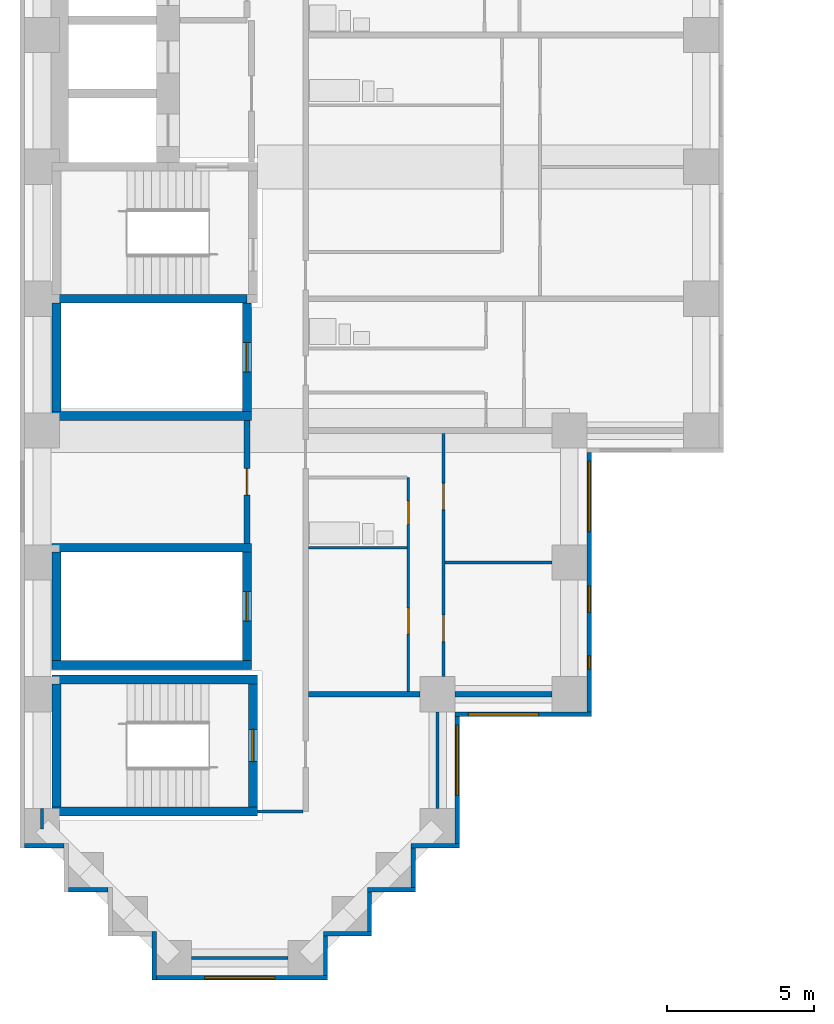
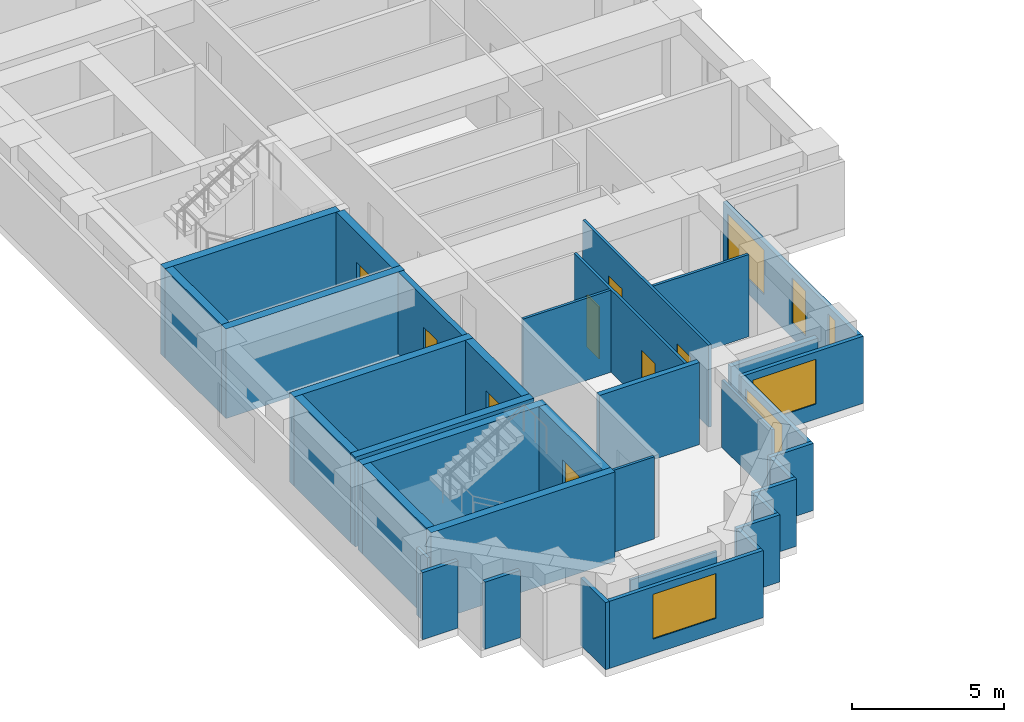
# One storey, part 2 of 12: 36 walls, 8 doors, 6 windows, 14 openings.
"""IFC4 building model written with IfcOpenShell, lengths in metres."""

import ifcopenshell
import ifcopenshell.guid

model = None  # the IFC model being written
_history = None  # IfcOwnerHistory: only IFC2X3 demands one
_inside = {}  # id of a spatial element -> (the spatial element, [elements in it])
_under = {}  # id of a project, library or spatial element -> (it, [spatial elements below it])
_declared = {}  # id of a project -> (the project, [libraries it declares])
_typed = {}  # id of a type object -> (the type object, [elements of that type])
_made_of = {}  # id of a material, layer set ... -> (it, [elements and type objects made of it])


def new_model(schema):
    """Start an empty IFC model of exactly this schema.

    Asked for "IFC4X3", IfcOpenShell would pick the latest addendum, in which some entities
    have other attributes; the version numbers below select the first issue.
    IFC2X3 requires an IfcOwnerHistory on every rooted entity: one is made here for all.
    """
    global model, _history
    if schema == "IFC4X3":
        model = ifcopenshell.file(schema_version=(4, 3, 0, 0))
    else:
        model = ifcopenshell.file(schema=schema)
    _inside.clear()
    _under.clear()
    _declared.clear()
    _typed.clear()
    _made_of.clear()
    _history = None
    if model.schema == "IFC2X3":
        org = make("IfcOrganization", Name="unknown")
        user = make(
            "IfcPersonAndOrganization",
            ThePerson=make("IfcPerson", FamilyName="unknown"),
            TheOrganization=org,
        )
        app = make(
            "IfcApplication",
            ApplicationDeveloper=org,
            Version="unknown",
            ApplicationFullName="unknown",
            ApplicationIdentifier="unknown",
        )
        _history = make(
            "IfcOwnerHistory",
            OwningUser=user,
            OwningApplication=app,
            ChangeAction="ADDED",
            CreationDate=0,
        )
    return model


def make(cls, **values):
    """One entity of the class cls with the attributes given. An attribute that is None is left unset."""
    return model.create_entity(
        cls, **{name: value for name, value in values.items() if value is not None}
    )


def rooted(cls, **values):
    """An entity with a GlobalId (a new one), such as an element, a storey or a relation."""
    return make(cls, GlobalId=ifcopenshell.guid.new(), OwnerHistory=_history, **values)


def si_unit(unit_type, name, prefix=None):
    """IfcSIUnit, for example si_unit("LENGTHUNIT", "METRE", prefix="MILLI")."""
    return make("IfcSIUnit", UnitType=unit_type, Prefix=prefix, Name=name)


def assignment(units):
    """IfcUnitAssignment: the units of a project."""
    return None if units is None else make("IfcUnitAssignment", Units=units)


def point(xyz):
    """IfcCartesianPoint."""
    return None if xyz is None else make("IfcCartesianPoint", Coordinates=xyz)


def direction(xyz):
    """IfcDirection."""
    return None if xyz is None else make("IfcDirection", DirectionRatios=xyz)


def frame(location, z_axis=None, x_axis=None):
    """IfcAxis2Placement3D, a coordinate frame: its origin and axes. An axis left out is left unset."""
    return make(
        "IfcAxis2Placement3D",
        Location=point(location),
        Axis=direction(z_axis),
        RefDirection=direction(x_axis),
    )


def frame_2d(location, x_axis=None):
    """IfcAxis2Placement2D, a coordinate frame in the plane: its origin and x axis."""
    return make(
        "IfcAxis2Placement2D", Location=point(location), RefDirection=direction(x_axis)
    )


def origin():
    """The frame at (0, 0, 0) with its axes left unset."""
    return frame((0.0, 0.0, 0.0))


def place(relative_to, where):
    """IfcLocalPlacement: puts the frame where relative to a parent placement (None: the world)."""
    return make(
        "IfcLocalPlacement", PlacementRelTo=relative_to, RelativePlacement=where
    )


def context(
    kind, dimensions, precision=None, world=None, true_north=None, identifier=None
):
    """IfcGeometricRepresentationContext, for example the 3D "Model" context."""
    return make(
        "IfcGeometricRepresentationContext",
        ContextIdentifier=identifier,
        ContextType=kind,
        CoordinateSpaceDimension=dimensions,
        Precision=precision,
        WorldCoordinateSystem=world,
        TrueNorth=true_north,
    )


def subcontext(parent, identifier, kind, view, scale=None):
    """IfcGeometricRepresentationSubContext, for example "Body" below "Model"."""
    return make(
        "IfcGeometricRepresentationSubContext",
        ContextIdentifier=identifier,
        ContextType=kind,
        ParentContext=parent,
        TargetScale=scale,
        TargetView=view,
    )


def project(units=None, contexts=None):
    """IfcProject with its units and contexts."""
    return rooted(
        "IfcProject",
        Name="project",
        RepresentationContexts=contexts,
        UnitsInContext=assignment(units),
    )


def spatial(cls, under=None, at=None, **own):
    """A site, building, storey or space (cls), placed at a placement, below another one or the project."""
    s = rooted(cls, ObjectPlacement=at, **own)
    if under is not None:
        _under.setdefault(under.id(), (under, []))[1].append(s)
    return s


def profile(cls, at=None, kind="AREA", **sizes):
    """A parametric profile (cls). Its sizes go by their IFC names, for example OverallWidth=200.0."""
    return make(cls, ProfileType=kind, Position=at, **sizes)


def rectangle(**sizes):
    """IfcRectangleProfileDef."""
    return profile("IfcRectangleProfileDef", **sizes)


def extrude(swept, where, along, depth):
    """IfcExtrudedAreaSolid: the profile swept, set in the frame where, extruded along a direction by depth."""
    return make(
        "IfcExtrudedAreaSolid",
        SweptArea=swept,
        Position=where,
        ExtrudedDirection=direction(along),
        Depth=depth,
    )


def shape(context_of_items, identifier, shape_type, items):
    """IfcShapeRepresentation: the items that make up one representation, for example the "Body"."""
    return make(
        "IfcShapeRepresentation",
        ContextOfItems=context_of_items,
        RepresentationIdentifier=identifier,
        RepresentationType=shape_type,
        Items=items,
    )


def material(Name=None, Category=None):
    """IfcMaterial."""
    return make("IfcMaterial", Name=Name, Category=Category)


def layer(
    of_material, thickness, ventilated=None, Name=None, Category=None, Priority=None
):
    """IfcMaterialLayer: one layer of a wall or slab, of a material (None: an air gap)."""
    return make(
        "IfcMaterialLayer",
        Material=of_material,
        LayerThickness=thickness,
        IsVentilated=ventilated,
        Name=Name,
        Category=Category,
        Priority=Priority,
    )


def layer_set(layers, Name=None):
    """IfcMaterialLayerSet."""
    return make("IfcMaterialLayerSet", MaterialLayers=layers, LayerSetName=Name)


def made_of(thing, what):
    """Note that an element or type object is made of a material, layer set ...; save() writes the relation."""
    if what is not None:
        _made_of.setdefault(what.id(), (what, []))[1].append(thing)
    return thing


def type_object(cls, material=None, **own):
    """A type object (cls), such as IfcWallType, which elements share."""
    return made_of(rooted(cls, **own), material)


def element(
    cls,
    number,
    at=None,
    inside=None,
    cuts=None,
    type_object=None,
    material=None,
    context=None,
    identifier="Body",
    shape_type=None,
    held_by="IfcProductDefinitionShape",
    body=None,
    shapes=None,
    **own,
):
    """One element of the class cls, such as IfcWall. Its Tag is "e" and its number.

    at: its placement. inside: the storey or other place that contains it. cuts: it is an
    opening in that element (IfcRelVoidsElement). A single representation is given by context,
    identifier, shape_type and body (its items); several are given by shapes. held_by: the class
    of the entity that holds the representations. save() writes the other relations.
    """
    e = rooted(cls, Tag="e%d" % number, ObjectPlacement=at, **own)
    if body is not None:
        shapes = [shape(context, identifier, shape_type, body)]
    if shapes is not None:
        e.Representation = make(held_by, Representations=shapes)
    if inside is not None:
        _inside.setdefault(inside.id(), (inside, []))[1].append(e)
    if cuts is not None:
        rooted(
            "IfcRelVoidsElement", RelatingBuildingElement=cuts, RelatedOpeningElement=e
        )
    if type_object is not None:
        _typed.setdefault(type_object.id(), (type_object, []))[1].append(e)
    return made_of(e, material)


def fill(opening, filler):
    """IfcRelFillsElement: the door or window that sits in an opening."""
    return rooted(
        "IfcRelFillsElement",
        RelatingOpeningElement=opening,
        RelatedBuildingElement=filler,
    )


def aggregate(whole, parts):
    """IfcRelAggregates: a whole, such as a stair, and the parts it consists of."""
    return rooted("IfcRelAggregates", RelatingObject=whole, RelatedObjects=parts)


def save(model, path):
    """Write the relations noted so far, then the file.

    IfcRelAggregates (storeys below a building ...), IfcRelContainedInSpatialStructure (elements
    in a storey), IfcRelDefinesByType, IfcRelAssociatesMaterial and IfcRelDeclares: one each for
    every whole, place, type object, material and project.
    """
    for whole, parts in _under.values():
        aggregate(whole, parts)
    for where, things in _inside.values():
        rooted(
            "IfcRelContainedInSpatialStructure",
            RelatedElements=things,
            RelatingStructure=where,
        )
    for kind, things in _typed.values():
        rooted("IfcRelDefinesByType", RelatedObjects=things, RelatingType=kind)
    for what, things in _made_of.values():
        rooted("IfcRelAssociatesMaterial", RelatedObjects=things, RelatingMaterial=what)
    for by, libraries in _declared.values():
        rooted("IfcRelDeclares", RelatingContext=by, RelatedDefinitions=libraries)
    model.write(path)


model = new_model("IFC4")

# Units and contexts
model_context = context("Model", 3, precision=1e-05, world=origin(), true_north=direction((0.0, 1.0)))
body_context = subcontext(model_context, "Body", "Model", "MODEL_VIEW")
ifc_project = project(units=[si_unit("LENGTHUNIT", "METRE"), si_unit("AREAUNIT", "SQUARE_METRE"), si_unit("VOLUMEUNIT", "CUBIC_METRE"), si_unit("PLANEANGLEUNIT", "RADIAN"), si_unit("MASSUNIT", "GRAM", prefix="KILO")], contexts=[model_context])

# Site, building, storey
site_placement = place(None, origin())
site = spatial("IfcSite", under=ifc_project, at=site_placement, CompositionType="ELEMENT")
building_placement = place(site_placement, origin())
building = spatial("IfcBuilding", under=site, at=building_placement, Name="Firuza Court", CompositionType="ELEMENT")
storey_placement = place(building_placement, frame((0.0, 0.0, 54.199951171875)))
storey = spatial("IfcBuildingStorey", under=building, at=storey_placement, Name="L12", CompositionType="ELEMENT", Elevation=54.199951171875)

# Walls
ifc_material_1 = material(Name="Moisture-resistant gypsum board partition")
ifc_layer_1 = layer(ifc_material_1, 0.10009765625)
ifc_layer_set_1 = layer_set([ifc_layer_1], Name="Moisture-resistant gypsum board partition")
wall_type_1 = type_object("IfcWallType", Name="Bathroom partition 100", PredefinedType="PLUMBINGWALL", material=ifc_layer_set_1)
wall_1_placement = place(storey_placement, frame((9.10009765625, 14.0, 0.0), z_axis=(0.0, 0.0, 1.0), x_axis=(1.0, 0.0, 0.0)))
element("IfcWall", 1, at=wall_1_placement, inside=storey, type_object=wall_type_1, Name="Bathroom partition 100 L12", PredefinedType="PLUMBINGWALL", context=body_context, shape_type="SweptSolid", body=[
    extrude(rectangle(XDim=3.349853515625, YDim=0.10009765625, at=frame_2d((1.6748046875, 0.0))), origin(), (0.0, 0.0, 1.0), 3.300048828125),
])
ifc_material_2 = material(Name="Concrete C60/75", Category="concrete")
ifc_layer_2 = layer(ifc_material_2, 0.300048828125)
ifc_layer_set_2 = layer_set([ifc_layer_2], Name="Concrete C60/75")
wall_type_2 = type_object("IfcWallType", Name="Core wall 300 C60/75", PredefinedType="SHEAR", material=ifc_layer_set_2)
for number, where, z_axis, x_axis, name in (
    (2, (0.35009765625, 5.0, -0.300048828125), (0.0, 0.0, 1.0), (1.0, 0.0, 0.0), "Core wall stair L12"),
    (3, (0.35009765625, 9.5, -0.300048828125), (0.0, 0.0, 1.0), (1.0, 0.0, 0.0), "Core wall stair L12"),
):
    element("IfcWall", number, at=place(storey_placement, frame(where, z_axis=z_axis, x_axis=x_axis)), inside=storey, type_object=wall_type_2, Name=name, PredefinedType="SHEAR", context=body_context, shape_type="SweptSolid", body=[
        extrude(rectangle(XDim=7.0, YDim=0.300048828125, at=frame_2d((3.5, 0.0))), origin(), (0.0, 0.0, 1.0), 3.60009765625),
    ])
for number, where, z_axis, x_axis, name in (
    (4, (0.35009765625, 10.0, -0.300048828125), (0.0, 0.0, 1.0), (1.0, 0.0, 0.0), "Core wall riser L12"),
    (5, (0.35009765625, 14.0, -0.300048828125), (0.0, 0.0, 1.0), (1.0, 0.0, 0.0), "Core wall riser L12"),
    (6, (0.35009765625, 18.5, -0.300048828125), (0.0, 0.0, 1.0), (1.0, 0.0, 0.0), "Core wall riser L12"),
):
    element("IfcWall", number, at=place(storey_placement, frame(where, z_axis=z_axis, x_axis=x_axis)), inside=storey, type_object=wall_type_2, Name=name, PredefinedType="SHEAR", context=body_context, shape_type="SweptSolid", body=[
        extrude(rectangle(XDim=6.7998046875, YDim=0.300048828125, at=frame_2d((3.39990234375, 0.0))), origin(), (0.0, 0.0, 1.0), 3.60009765625),
    ])
wall_2_placement = place(storey_placement, frame((0.35009765625, 22.5, -0.300048828125), z_axis=(0.0, 0.0, 1.0), x_axis=(1.0, 0.0, 0.0)))
element("IfcWall", 7, at=wall_2_placement, inside=storey, type_object=wall_type_2, Name="Core wall riser L12", PredefinedType="SHEAR", context=body_context, shape_type="SweptSolid", body=[
    extrude(rectangle(XDim=6.64990234375, YDim=0.300048828125, at=frame_2d((3.324951171875, 0.0))), origin(), (0.0, 0.0, 1.0), 3.60009765625),
])
wall_3_placement = place(storey_placement, frame((0.5, 5.14990234375, -0.300048828125), z_axis=(0.0, 0.0, 1.0), x_axis=(0.0, 1.0, 0.0)))
element("IfcWall", 8, at=wall_3_placement, inside=storey, type_object=wall_type_2, Name="Core wall stair L12", PredefinedType="SHEAR", context=body_context, shape_type="SweptSolid", body=[
    extrude(rectangle(XDim=4.2001953125, YDim=0.300048828125, at=frame_2d((2.10009765625, 0.0))), origin(), (0.0, 0.0, 1.0), 3.60009765625),
])
for number, where, z_axis, x_axis, name in (
    (9, (0.5, 10.14990234375, -0.300048828125), (0.0, 0.0, 1.0), (0.0, 1.0, 0.0), "Core wall riser L12"),
    (10, (0.5, 18.64990234375, -0.300048828125), (0.0, 0.0, 1.0), (0.0, 1.0, 0.0), "Core wall riser L12"),
):
    element("IfcWall", number, at=place(storey_placement, frame(where, z_axis=z_axis, x_axis=x_axis)), inside=storey, type_object=wall_type_2, Name=name, PredefinedType="SHEAR", context=body_context, shape_type="SweptSolid", body=[
        extrude(rectangle(XDim=3.7001953125, YDim=0.300048828125, at=frame_2d((1.85009765625, 0.0))), origin(), (0.0, 0.0, 1.0), 3.60009765625),
    ])

# Wall, opening, door
wall_4_placement = place(storey_placement, frame((7.0, 10.14990234375, -0.300048828125), z_axis=(0.0, 0.0, 1.0), x_axis=(0.0, 1.0, 0.0)))
wall_4 = element("IfcWall", 11, at=wall_4_placement, inside=storey, type_object=wall_type_2, Name="Core wall riser L12", PredefinedType="SHEAR", context=body_context, shape_type="SweptSolid", body=[
    extrude(rectangle(XDim=3.7001953125, YDim=0.300048828125, at=frame_2d((1.85009765625, 0.0))), origin(), (0.0, 0.0, 1.0), 3.60009765625),
])
opening_1_placement = place(wall_4_placement, frame((1.35009765625, 0.0, 0.300048828125)))
opening_1 = element("IfcOpeningElement", 12, at=opening_1_placement, cuts=wall_4, Name="Opening D12012", PredefinedType="OPENING", context=body_context, shape_type="SweptSolid", body=[
    extrude(rectangle(XDim=1.0, YDim=2.10009765625, at=frame_2d((0.5, 1.050048828125))), frame((0.0, 0.162109375, 0.0), z_axis=(0.0, -1.0, 0.0), x_axis=(1.0, 0.0, 0.0)), (0.0, 0.0, 1.0), 0.323974609375),
])
ifc_material_3 = material(Name="Timber door leaf in hardwood frame", Category="wood")
door_type_1 = type_object("IfcDoorType", Name="Riser door 1000", OperationType="SINGLE_SWING_LEFT", PredefinedType="DOOR", material=ifc_material_3)
door_1_placement = place(opening_1_placement, origin())
door_1 = element("IfcDoor", 13, at=door_1_placement, inside=storey, type_object=door_type_1, Name="Riser door R4", OperationType="SINGLE_SWING_LEFT", OverallHeight=2.10009765625, OverallWidth=1.0, PredefinedType="DOOR", context=body_context, shape_type="SweptSolid", body=[
    extrude(rectangle(XDim=1.0, YDim=2.10009765625, at=frame_2d((0.5, 1.050048828125))), frame((0.0, 0.02490234375, 0.0), z_axis=(0.0, -1.0, 0.0), x_axis=(1.0, 0.0, 0.0)), (0.0, 0.0, 1.0), 0.050048828125),
])
fill(opening_1, door_1)

wall_5_placement = place(storey_placement, frame((7.0, 18.64990234375, -0.300048828125), z_axis=(0.0, 0.0, 1.0), x_axis=(0.0, 1.0, 0.0)))
wall_5 = element("IfcWall", 14, at=wall_5_placement, inside=storey, type_object=wall_type_2, Name="Core wall riser L12", PredefinedType="SHEAR", context=body_context, shape_type="SweptSolid", body=[
    extrude(rectangle(XDim=3.7001953125, YDim=0.300048828125, at=frame_2d((1.85009765625, 0.0))), origin(), (0.0, 0.0, 1.0), 3.60009765625),
])
opening_2_placement = place(wall_5_placement, frame((1.35009765625, 0.0, 0.300048828125)))
opening_2 = element("IfcOpeningElement", 15, at=opening_2_placement, cuts=wall_5, Name="Opening D12010", PredefinedType="OPENING", context=body_context, shape_type="SweptSolid", body=[
    extrude(rectangle(XDim=1.0, YDim=2.10009765625, at=frame_2d((0.5, 1.050048828125))), frame((0.0, 0.162109375, 0.0), z_axis=(0.0, -1.0, 0.0), x_axis=(1.0, 0.0, 0.0)), (0.0, 0.0, 1.0), 0.323974609375),
])
door_2_placement = place(opening_2_placement, origin())
door_2 = element("IfcDoor", 16, at=door_2_placement, inside=storey, type_object=door_type_1, Name="Riser door R1", OperationType="SINGLE_SWING_LEFT", OverallHeight=2.10009765625, OverallWidth=1.0, PredefinedType="DOOR", context=body_context, shape_type="SweptSolid", body=[
    extrude(rectangle(XDim=1.0, YDim=2.10009765625, at=frame_2d((0.5, 1.050048828125))), frame((0.0, 0.02490234375, 0.0), z_axis=(0.0, -1.0, 0.0), x_axis=(1.0, 0.0, 0.0)), (0.0, 0.0, 1.0), 0.050048828125),
])
fill(opening_2, door_2)

wall_6_placement = place(storey_placement, frame((7.199951171875, 5.14990234375, -0.300048828125), z_axis=(0.0, 0.0, 1.0), x_axis=(0.0, 1.0, 0.0)))
wall_6 = element("IfcWall", 17, at=wall_6_placement, inside=storey, type_object=wall_type_2, Name="Core wall stair L12", PredefinedType="SHEAR", context=body_context, shape_type="SweptSolid", body=[
    extrude(rectangle(XDim=4.2001953125, YDim=0.300048828125, at=frame_2d((2.10009765625, 0.0))), origin(), (0.0, 0.0, 1.0), 3.60009765625),
])
opening_3_placement = place(wall_6_placement, frame((1.550048828125, 0.0, 0.300048828125)))
opening_3 = element("IfcOpeningElement", 18, at=opening_3_placement, cuts=wall_6, Name="Opening D12018", PredefinedType="OPENING", context=body_context, shape_type="SweptSolid", body=[
    extrude(rectangle(XDim=1.10009765625, YDim=2.10009765625, at=frame_2d((0.550048828125, 1.050048828125))), frame((0.0, 0.162109375, 0.0), z_axis=(0.0, -1.0, 0.0), x_axis=(1.0, 0.0, 0.0)), (0.0, 0.0, 1.0), 0.323974609375),
])
ifc_material_4 = material(Name="Timber door leaf in hardwood frame", Category="wood")
door_type_2 = type_object("IfcDoorType", Name="Stair door 1100", OperationType="SINGLE_SWING_LEFT", PredefinedType="DOOR", material=ifc_material_4)
door_3_placement = place(opening_3_placement, origin())
door_3 = element("IfcDoor", 19, at=door_3_placement, inside=storey, type_object=door_type_2, Name="Stair door S5", OperationType="SINGLE_SWING_LEFT", OverallHeight=2.10009765625, OverallWidth=1.10009765625, PredefinedType="DOOR", context=body_context, shape_type="SweptSolid", body=[
    extrude(rectangle(XDim=1.10009765625, YDim=2.10009765625, at=frame_2d((0.550048828125, 1.050048828125))), frame((0.0, 0.02490234375, 0.0), z_axis=(0.0, -1.0, 0.0), x_axis=(1.0, 0.0, 0.0)), (0.0, 0.0, 1.0), 0.050048828125),
])
fill(opening_3, door_3)

ifc_material_5 = material(Name="Blockwork, plastered both sides", Category="masonry")
ifc_layer_3 = layer(ifc_material_5, 0.199951171875)
ifc_layer_set_3 = layer_set([ifc_layer_3], Name="Blockwork, plastered both sides")
wall_type_3 = type_object("IfcWallType", Name="Corridor wall 200", PredefinedType="PARTITIONING", material=ifc_layer_set_3)
wall_7_placement = place(storey_placement, frame((7.0, 14.14990234375, 0.0), z_axis=(0.0, 0.0, 1.0), x_axis=(0.0, 1.0, 0.0)))
wall_7 = element("IfcWall", 20, at=wall_7_placement, inside=storey, type_object=wall_type_3, Name="Corridor wall 200 L12", PredefinedType="PARTITIONING", context=body_context, shape_type="SweptSolid", body=[
    extrude(rectangle(XDim=4.2001953125, YDim=0.199951171875, at=frame_2d((2.10009765625, 0.0))), origin(), (0.0, 0.0, 1.0), 3.300048828125),
])
opening_4_placement = place(wall_7_placement, frame((1.64990234375, 0.0, 0.0)))
opening_4 = element("IfcOpeningElement", 21, at=opening_4_placement, cuts=wall_7, Name="Opening D12029", PredefinedType="OPENING", context=body_context, shape_type="SweptSolid", body=[
    extrude(rectangle(XDim=0.89990234375, YDim=2.10009765625, at=frame_2d((0.449951171875, 1.050048828125))), frame((0.0, 0.11181640625, 0.0), z_axis=(0.0, -1.0, 0.0), x_axis=(1.0, 0.0, 0.0)), (0.0, 0.0, 1.0), 0.223876953125),
])
ifc_material_6 = material(Name="Timber door leaf in hardwood frame", Category="wood")
door_type_3 = type_object("IfcDoorType", Name="Room door 900 EI 30", OperationType="SINGLE_SWING_LEFT", PredefinedType="DOOR", material=ifc_material_6)
door_4_placement = place(opening_4_placement, origin())
door_4 = element("IfcDoor", 22, at=door_4_placement, inside=storey, type_object=door_type_3, Name="Meeting room door", OperationType="SINGLE_SWING_LEFT", OverallHeight=2.10009765625, OverallWidth=0.89990234375, PredefinedType="DOOR", context=body_context, shape_type="SweptSolid", body=[
    extrude(rectangle(XDim=0.89990234375, YDim=2.10009765625, at=frame_2d((0.449951171875, 1.050048828125))), frame((0.0, 0.02490234375, 0.0), z_axis=(0.0, -1.0, 0.0), x_axis=(1.0, 0.0, 0.0)), (0.0, 0.0, 1.0), 0.050048828125),
])
fill(opening_4, door_4)

# Walls
ifc_material_7 = material(Name="Timber stud partition, plasterboard both sides", Category="wood")
ifc_layer_4 = layer(ifc_material_7, 0.10009765625)
ifc_layer_set_4 = layer_set([ifc_layer_4], Name="Timber stud partition, plasterboard both sides")
wall_type_4 = type_object("IfcWallType", Name="Partition wall 100", PredefinedType="PARTITIONING", material=ifc_layer_set_4)
wall_8_placement = place(storey_placement, frame((5.10009765625, 0.0, 0.0), z_axis=(0.0, 0.0, 1.0), x_axis=(1.0, 0.0, 0.0)))
element("IfcWall", 23, at=wall_8_placement, inside=storey, type_object=wall_type_4, Name="Partition wall 100 L12", PredefinedType="PARTITIONING", context=body_context, shape_type="SweptSolid", body=[
    extrude(rectangle(XDim=3.2998046875, YDim=0.10009765625, at=frame_2d((1.64990234375, 0.0))), origin(), (0.0, 0.0, 1.0), 2.699951171875),
])
wall_9_placement = place(storey_placement, frame((0.0, 4.39990234375, 0.0), z_axis=(0.0, 0.0, 1.0), x_axis=(0.0, 1.0, 0.0)))
element("IfcWall", 24, at=wall_9_placement, inside=storey, type_object=wall_type_4, Name="Partition wall 100 L12", PredefinedType="PARTITIONING", context=body_context, shape_type="SweptSolid", body=[
    extrude(rectangle(XDim=0.7001953125, YDim=0.10009765625, at=frame_2d((0.35009765625, 0.0))), origin(), (0.0, 0.0, 1.0), 2.699951171875),
])
wall_10_placement = place(storey_placement, frame((7.34912109375, 5.0, 0.0), z_axis=(0.0, 0.0, 1.0), x_axis=(1.0, 0.0, 0.0)))
element("IfcWall", 25, at=wall_10_placement, inside=storey, type_object=wall_type_4, Name="Partition wall 100 L12", PredefinedType="PARTITIONING", context=body_context, shape_type="SweptSolid", body=[
    extrude(rectangle(XDim=1.55078125, YDim=0.10009765625, at=frame_2d((0.775390625, 0.0))), origin(), (0.0, 0.0, 1.0), 3.300048828125),
])
wall_11_placement = place(storey_placement, frame((13.5, 5.10009765625, 0.0), z_axis=(0.0, 0.0, 1.0), x_axis=(0.0, 1.0, 0.0)))
element("IfcWall", 26, at=wall_11_placement, inside=storey, type_object=wall_type_4, Name="Partition wall 100 L12", PredefinedType="PARTITIONING", context=body_context, shape_type="SweptSolid", body=[
    extrude(rectangle(XDim=3.2998046875, YDim=0.10009765625, at=frame_2d((1.64990234375, 0.0))), origin(), (0.0, 0.0, 1.0), 2.699951171875),
])

# Wall, openings, doors
wall_12_placement = place(storey_placement, frame((12.5, 9.10009765625, 0.0), z_axis=(0.0, 0.0, 1.0), x_axis=(0.0, 1.0, 0.0)))
wall_12 = element("IfcWall", 27, at=wall_12_placement, inside=storey, type_object=wall_type_4, Name="Partition wall 100 L12", PredefinedType="PARTITIONING", context=body_context, shape_type="SweptSolid", body=[
    extrude(rectangle(XDim=7.2998046875, YDim=0.10009765625, at=frame_2d((3.64990234375, 0.0))), origin(), (0.0, 0.0, 1.0), 3.300048828125),
])
opening_5_placement = place(wall_12_placement, frame((5.699951171875, 0.0, 0.0)))
opening_5 = element("IfcOpeningElement", 28, at=opening_5_placement, cuts=wall_12, Name="Opening D12025", PredefinedType="OPENING", context=body_context, shape_type="SweptSolid", body=[
    extrude(rectangle(XDim=0.800048828125, YDim=2.10009765625, at=frame_2d((0.39990234375, 1.050048828125))), frame((0.0, 0.06201171875, 0.0), z_axis=(0.0, -1.0, 0.0), x_axis=(1.0, 0.0, 0.0)), (0.0, 0.0, 1.0), 0.1240234375),
])
opening_6_placement = place(wall_12_placement, frame((1.949951171875, 0.0, 0.0)))
opening_6 = element("IfcOpeningElement", 29, at=opening_6_placement, cuts=wall_12, Name="Opening D12026", PredefinedType="OPENING", context=body_context, shape_type="SweptSolid", body=[
    extrude(rectangle(XDim=0.89990234375, YDim=2.10009765625, at=frame_2d((0.449951171875, 1.050048828125))), frame((0.0, 0.06201171875, 0.0), z_axis=(0.0, -1.0, 0.0), x_axis=(1.0, 0.0, 0.0)), (0.0, 0.0, 1.0), 0.1240234375),
])
ifc_material_8 = material(Name="Timber door leaf in hardwood frame", Category="wood")
door_type_4 = type_object("IfcDoorType", Name="Bathroom door 800", OperationType="SINGLE_SWING_LEFT", PredefinedType="DOOR", material=ifc_material_8)
door_5_placement = place(opening_5_placement, origin())
door_5 = element("IfcDoor", 30, at=door_5_placement, inside=storey, type_object=door_type_4, Name="Bathroom door", OperationType="SINGLE_SWING_LEFT", OverallHeight=2.10009765625, OverallWidth=0.800048828125, PredefinedType="DOOR", context=body_context, shape_type="SweptSolid", body=[
    extrude(rectangle(XDim=0.800048828125, YDim=2.10009765625, at=frame_2d((0.39990234375, 1.050048828125))), frame((0.0, 0.02490234375, 0.0), z_axis=(0.0, -1.0, 0.0), x_axis=(1.0, 0.0, 0.0)), (0.0, 0.0, 1.0), 0.050048828125),
])
fill(opening_5, door_5)
ifc_material_9 = material(Name="Timber door leaf in hardwood frame", Category="wood")
door_type_5 = type_object("IfcDoorType", Name="Room door 900", OperationType="SINGLE_SWING_LEFT", PredefinedType="DOOR", material=ifc_material_9)
door_6_placement = place(opening_6_placement, origin())
door_6 = element("IfcDoor", 31, at=door_6_placement, inside=storey, type_object=door_type_5, Name="Kitchen door", OperationType="SINGLE_SWING_LEFT", OverallHeight=2.10009765625, OverallWidth=0.89990234375, PredefinedType="DOOR", context=body_context, shape_type="SweptSolid", body=[
    extrude(rectangle(XDim=0.89990234375, YDim=2.10009765625, at=frame_2d((0.449951171875, 1.050048828125))), frame((0.0, 0.02490234375, 0.0), z_axis=(0.0, -1.0, 0.0), x_axis=(1.0, 0.0, 0.0)), (0.0, 0.0, 1.0), 0.050048828125),
])
fill(opening_6, door_6)

wall_13_placement = place(storey_placement, frame((13.699951171875, 9.60009765625, 0.0), z_axis=(0.0, 0.0, 1.0), x_axis=(0.0, 1.0, 0.0)))
wall_13 = element("IfcWall", 32, at=wall_13_placement, inside=storey, type_object=wall_type_4, Name="Partition wall 100 L12", PredefinedType="PARTITIONING", context=body_context, shape_type="SweptSolid", body=[
    extrude(rectangle(XDim=8.2998046875, YDim=0.10009765625, at=frame_2d((4.14990234375, 0.0))), origin(), (0.0, 0.0, 1.0), 3.300048828125),
])
opening_7_placement = place(wall_13_placement, frame((1.199951171875, 0.0, 0.0)))
opening_7 = element("IfcOpeningElement", 33, at=opening_7_placement, cuts=wall_13, Name="Opening D12027", PredefinedType="OPENING", context=body_context, shape_type="SweptSolid", body=[
    extrude(rectangle(XDim=0.89990234375, YDim=2.10009765625, at=frame_2d((0.449951171875, 1.050048828125))), frame((0.0, 0.06201171875, 0.0), z_axis=(0.0, -1.0, 0.0), x_axis=(1.0, 0.0, 0.0)), (0.0, 0.0, 1.0), 0.1240234375),
])
opening_8_placement = place(wall_13_placement, frame((5.699951171875, 0.0, 0.0)))
opening_8 = element("IfcOpeningElement", 34, at=opening_8_placement, cuts=wall_13, Name="Opening D12028", PredefinedType="OPENING", context=body_context, shape_type="SweptSolid", body=[
    extrude(rectangle(XDim=0.89990234375, YDim=2.10009765625, at=frame_2d((0.449951171875, 1.050048828125))), frame((0.0, 0.06201171875, 0.0), z_axis=(0.0, -1.0, 0.0), x_axis=(1.0, 0.0, 0.0)), (0.0, 0.0, 1.0), 0.1240234375),
])
door_7_placement = place(opening_7_placement, frame((0.89990234375, 0.0, 0.0), z_axis=(0.0, 0.0, 1.0), x_axis=(-1.0, 0.0, 0.0)))
door_7 = element("IfcDoor", 35, at=door_7_placement, inside=storey, type_object=door_type_5, Name="Bedroom door", OperationType="SINGLE_SWING_RIGHT", OverallHeight=2.10009765625, OverallWidth=0.89990234375, PredefinedType="DOOR", context=body_context, shape_type="SweptSolid", body=[
    extrude(rectangle(XDim=0.89990234375, YDim=2.10009765625, at=frame_2d((0.449951171875, 1.050048828125))), frame((0.0, 0.02490234375, 0.0), z_axis=(0.0, -1.0, 0.0), x_axis=(1.0, 0.0, 0.0)), (0.0, 0.0, 1.0), 0.050048828125),
])
fill(opening_7, door_7)
door_8_placement = place(opening_8_placement, frame((0.89990234375, 0.0, 0.0), z_axis=(0.0, 0.0, 1.0), x_axis=(-1.0, 0.0, 0.0)))
door_8 = element("IfcDoor", 36, at=door_8_placement, inside=storey, type_object=door_type_5, Name="Living room door", OperationType="SINGLE_SWING_RIGHT", OverallHeight=2.10009765625, OverallWidth=0.89990234375, PredefinedType="DOOR", context=body_context, shape_type="SweptSolid", body=[
    extrude(rectangle(XDim=0.89990234375, YDim=2.10009765625, at=frame_2d((0.449951171875, 1.050048828125))), frame((0.0, 0.02490234375, 0.0), z_axis=(0.0, -1.0, 0.0), x_axis=(1.0, 0.0, 0.0)), (0.0, 0.0, 1.0), 0.050048828125),
])
fill(opening_8, door_8)

# Walls
wall_14_placement = place(storey_placement, frame((13.75, 13.5, 0.0), z_axis=(0.0, 0.0, 1.0), x_axis=(1.0, 0.0, 0.0)))
element("IfcWall", 37, at=wall_14_placement, inside=storey, type_object=wall_type_4, Name="Partition wall 100 L12", PredefinedType="PARTITIONING", context=body_context, shape_type="SweptSolid", body=[
    extrude(rectangle(XDim=3.64990234375, YDim=0.10009765625, at=frame_2d((1.824951171875, 0.0))), origin(), (0.0, 0.0, 1.0), 3.300048828125),
])
ifc_layer_5 = layer(ifc_material_5, 0.199951171875)
ifc_layer_set_5 = layer_set([ifc_layer_5], Name="Blockwork, plastered both sides")
wall_type_5 = type_object("IfcWallType", Name="Party wall 200", PredefinedType="PARTITIONING", material=ifc_layer_set_5)
wall_15_placement = place(storey_placement, frame((9.10009765625, 9.0, 0.0), z_axis=(0.0, 0.0, 1.0), x_axis=(1.0, 0.0, 0.0)))
element("IfcWall", 38, at=wall_15_placement, inside=storey, type_object=wall_type_5, Name="Party wall 200 L12", PredefinedType="PARTITIONING", context=body_context, shape_type="SweptSolid", body=[
    extrude(rectangle(XDim=3.7998046875, YDim=0.199951171875, at=frame_2d((1.89990234375, 0.0))), origin(), (0.0, 0.0, 1.0), 3.300048828125),
])
wall_16_placement = place(storey_placement, frame((14.10009765625, 9.0, 0.0), z_axis=(0.0, 0.0, 1.0), x_axis=(1.0, 0.0, 0.0)))
element("IfcWall", 39, at=wall_16_placement, inside=storey, type_object=wall_type_5, Name="Party wall 200 L12", PredefinedType="PARTITIONING", context=body_context, shape_type="SweptSolid", body=[
    extrude(rectangle(XDim=3.2998046875, YDim=0.199951171875, at=frame_2d((1.64990234375, 0.0))), origin(), (0.0, 0.0, 1.0), 2.699951171875),
])
ifc_material_10 = material(Name="Ceramic tile", Category="ceramic")
ifc_layer_6 = layer(ifc_material_10, 0.02001953125)
ifc_material_11 = material(Name="Mineral wool insulation", Category="insulation")
ifc_layer_7 = layer(ifc_material_11, 0.050048828125)
ifc_material_12 = material(Name="Concrete C40/50 precast", Category="concrete")
ifc_layer_8 = layer(ifc_material_12, 0.080078125)
ifc_layer_set_6 = layer_set([ifc_layer_6, ifc_layer_7, ifc_layer_8], Name="Concrete C40/50 precast")
wall_type_6 = type_object("IfcWallType", Name="Precast cladding wall with turquoise TILE PANEL face 150", PredefinedType="STANDARD", material=ifc_layer_set_6)
wall_17_placement = place(storey_placement, frame((9.675048828125, -0.60009765625, 0.0), z_axis=(0.0, 0.0, 1.0), x_axis=(0.0, 1.0, 0.0)))
element("IfcWall", 40, at=wall_17_placement, inside=storey, type_object=wall_type_6, Name="Facade wall L12 E", PredefinedType="STANDARD", context=body_context, shape_type="SweptSolid", body=[
    extrude(rectangle(XDim=1.35009765625, YDim=0.14990234375, at=frame_2d((0.675048828125, 0.0))), origin(), (0.0, 0.0, 1.0), 2.699951171875),
])
wall_18_placement = place(storey_placement, frame((9.60009765625, 0.824951171875, 0.0), z_axis=(0.0, 0.0, 1.0), x_axis=(1.0, 0.0, 0.0)))
element("IfcWall", 41, at=wall_18_placement, inside=storey, type_object=wall_type_6, Name="Facade wall L12 S", PredefinedType="STANDARD", context=body_context, shape_type="SweptSolid", body=[
    extrude(rectangle(XDim=1.64990234375, YDim=0.14990234375, at=frame_2d((0.824951171875, 0.0))), origin(), (0.0, 0.0, 1.0), 2.699951171875),
])
wall_19_placement = place(storey_placement, frame((11.175048828125, 0.89990234375, 0.0), z_axis=(0.0, 0.0, 1.0), x_axis=(0.0, 1.0, 0.0)))
element("IfcWall", 42, at=wall_19_placement, inside=storey, type_object=wall_type_6, Name="Facade wall L12 E", PredefinedType="STANDARD", context=body_context, shape_type="SweptSolid", body=[
    extrude(rectangle(XDim=1.35009765625, YDim=0.14990234375, at=frame_2d((0.675048828125, 0.0))), origin(), (0.0, 0.0, 1.0), 2.699951171875),
])
wall_20_placement = place(storey_placement, frame((11.10009765625, 2.324951171875, 0.0), z_axis=(0.0, 0.0, 1.0), x_axis=(1.0, 0.0, 0.0)))
element("IfcWall", 43, at=wall_20_placement, inside=storey, type_object=wall_type_6, Name="Facade wall L12 S", PredefinedType="STANDARD", context=body_context, shape_type="SweptSolid", body=[
    extrude(rectangle(XDim=1.64990234375, YDim=0.14990234375, at=frame_2d((0.824951171875, 0.0))), origin(), (0.0, 0.0, 1.0), 2.699951171875),
])
wall_21_placement = place(storey_placement, frame((12.675048828125, 2.39990234375, 0.0), z_axis=(0.0, 0.0, 1.0), x_axis=(0.0, 1.0, 0.0)))
element("IfcWall", 44, at=wall_21_placement, inside=storey, type_object=wall_type_6, Name="Facade wall L12 E", PredefinedType="STANDARD", context=body_context, shape_type="SweptSolid", body=[
    extrude(rectangle(XDim=1.35009765625, YDim=0.14990234375, at=frame_2d((0.675048828125, 0.0))), origin(), (0.0, 0.0, 1.0), 2.699951171875),
])
wall_22_placement = place(storey_placement, frame((12.60009765625, 3.824951171875, 0.0), z_axis=(0.0, 0.0, 1.0), x_axis=(1.0, 0.0, 0.0)))
element("IfcWall", 45, at=wall_22_placement, inside=storey, type_object=wall_type_6, Name="Facade wall L12 S", PredefinedType="STANDARD", context=body_context, shape_type="SweptSolid", body=[
    extrude(rectangle(XDim=1.64990234375, YDim=0.14990234375, at=frame_2d((0.824951171875, 0.0))), origin(), (0.0, 0.0, 1.0), 2.699951171875),
])

# Wall, opening, window
wall_23_placement = place(storey_placement, frame((14.175048828125, 3.89990234375, 0.0), z_axis=(0.0, 0.0, 1.0), x_axis=(0.0, 1.0, 0.0)))
wall_23 = element("IfcWall", 46, at=wall_23_placement, inside=storey, type_object=wall_type_6, Name="Facade wall L12 E", PredefinedType="STANDARD", context=body_context, shape_type="SweptSolid", body=[
    extrude(rectangle(XDim=4.35009765625, YDim=0.14990234375, at=frame_2d((2.175048828125, 0.0))), origin(), (0.0, 0.0, 1.0), 2.699951171875),
])
opening_9_placement = place(wall_23_placement, frame((1.64990234375, 0.0, 0.60009765625)))
opening_9 = element("IfcOpeningElement", 47, at=opening_9_placement, cuts=wall_23, Name="Opening W1", PredefinedType="OPENING", context=body_context, shape_type="SweptSolid", body=[
    extrude(rectangle(XDim=2.39990234375, YDim=1.800048828125, at=frame_2d((1.199951171875, 0.89990234375))), frame((0.0, 0.0869140625, 0.0), z_axis=(0.0, -1.0, 0.0), x_axis=(1.0, 0.0, 0.0)), (0.0, 0.0, 1.0), 0.173828125),
])
ifc_material_13 = material(Name="Aluminium frame, triple clear glazing", Category="aluminium")
window_type_1 = type_object("IfcWindowType", Name="Window W1 2400 x 1800", PartitioningType="SINGLE_PANEL", PredefinedType="WINDOW", material=ifc_material_13)
window_1_placement = place(opening_9_placement, origin())
window_1 = element("IfcWindow", 48, at=window_1_placement, inside=storey, type_object=window_type_1, Name="Window L12", OverallHeight=1.800048828125, OverallWidth=2.39990234375, PartitioningType="SINGLE_PANEL", PredefinedType="WINDOW", context=body_context, shape_type="SweptSolid", body=[
    extrude(rectangle(XDim=2.39990234375, YDim=1.800048828125, at=frame_2d((1.199951171875, 0.89990234375))), frame((0.0, 0.030029296875, 0.0), z_axis=(0.0, -1.0, 0.0), x_axis=(1.0, 0.0, 0.0)), (0.0, 0.0, 1.0), 0.06005859375),
])
fill(opening_9, window_1)

wall_24_placement = place(storey_placement, frame((14.10009765625, 8.324951171875, 0.0), z_axis=(0.0, 0.0, 1.0), x_axis=(1.0, 0.0, 0.0)))
wall_24 = element("IfcWall", 49, at=wall_24_placement, inside=storey, type_object=wall_type_6, Name="Facade wall L12 S", PredefinedType="STANDARD", context=body_context, shape_type="SweptSolid", body=[
    extrude(rectangle(XDim=4.64990234375, YDim=0.14990234375, at=frame_2d((2.324951171875, 0.0))), origin(), (0.0, 0.0, 1.0), 2.699951171875),
])
opening_10_placement = place(wall_24_placement, frame((0.449951171875, 0.0, 0.60009765625)))
opening_10 = element("IfcOpeningElement", 50, at=opening_10_placement, cuts=wall_24, Name="Opening W1", PredefinedType="OPENING", context=body_context, shape_type="SweptSolid", body=[
    extrude(rectangle(XDim=2.39990234375, YDim=1.800048828125, at=frame_2d((1.199951171875, 0.89990234375))), frame((0.0, 0.0869140625, 0.0), z_axis=(0.0, -1.0, 0.0), x_axis=(1.0, 0.0, 0.0)), (0.0, 0.0, 1.0), 0.173828125),
])
window_2_placement = place(opening_10_placement, origin())
window_2 = element("IfcWindow", 51, at=window_2_placement, inside=storey, type_object=window_type_1, Name="Window L12", OverallHeight=1.800048828125, OverallWidth=2.39990234375, PartitioningType="SINGLE_PANEL", PredefinedType="WINDOW", context=body_context, shape_type="SweptSolid", body=[
    extrude(rectangle(XDim=2.39990234375, YDim=1.800048828125, at=frame_2d((1.199951171875, 0.89990234375))), frame((0.0, 0.030029296875, 0.0), z_axis=(0.0, -1.0, 0.0), x_axis=(1.0, 0.0, 0.0)), (0.0, 0.0, 1.0), 0.06005859375),
])
fill(opening_10, window_2)

# Wall, openings, windows
wall_25_placement = place(storey_placement, frame((18.675048828125, 8.39990234375, 0.0), z_axis=(0.0, 0.0, 1.0), x_axis=(0.0, 1.0, 0.0)))
wall_25 = element("IfcWall", 52, at=wall_25_placement, inside=storey, type_object=wall_type_6, Name="Facade wall L12 E", PredefinedType="STANDARD", context=body_context, shape_type="SweptSolid", body=[
    extrude(rectangle(XDim=8.85009765625, YDim=0.14990234375, at=frame_2d((4.425048828125, 0.0))), origin(), (0.0, 0.0, 1.0), 2.699951171875),
])
opening_11_placement = place(wall_25_placement, frame((1.460693359375, 0.0, 0.60009765625)))
opening_11 = element("IfcOpeningElement", 53, at=opening_11_placement, cuts=wall_25, Name="Opening W5", PredefinedType="OPENING", context=body_context, shape_type="SweptSolid", body=[
    extrude(rectangle(XDim=0.449951171875, YDim=1.800048828125, at=frame_2d((0.22509765625, 0.89990234375))), frame((0.0, 0.0869140625, 0.0), z_axis=(0.0, -1.0, 0.0), x_axis=(1.0, 0.0, 0.0)), (0.0, 0.0, 1.0), 0.173828125),
])
opening_12_placement = place(wall_25_placement, frame((3.391357421875, 0.0, 0.60009765625)))
opening_12 = element("IfcOpeningElement", 54, at=opening_12_placement, cuts=wall_25, Name="Opening W3", PredefinedType="OPENING", context=body_context, shape_type="SweptSolid", body=[
    extrude(rectangle(XDim=0.89990234375, YDim=1.800048828125, at=frame_2d((0.449951171875, 0.89990234375))), frame((0.0, 0.0869140625, 0.0), z_axis=(0.0, -1.0, 0.0), x_axis=(1.0, 0.0, 0.0)), (0.0, 0.0, 1.0), 0.173828125),
])
opening_13_placement = place(wall_25_placement, frame((6.14990234375, 0.0, 0.60009765625)))
opening_13 = element("IfcOpeningElement", 55, at=opening_13_placement, cuts=wall_25, Name="Opening W1", PredefinedType="OPENING", context=body_context, shape_type="SweptSolid", body=[
    extrude(rectangle(XDim=2.39990234375, YDim=1.800048828125, at=frame_2d((1.199951171875, 0.89990234375))), frame((0.0, 0.0869140625, 0.0), z_axis=(0.0, -1.0, 0.0), x_axis=(1.0, 0.0, 0.0)), (0.0, 0.0, 1.0), 0.173828125),
])
window_3_placement = place(opening_13_placement, origin())
window_3 = element("IfcWindow", 56, at=window_3_placement, inside=storey, type_object=window_type_1, Name="Window L12", OverallHeight=1.800048828125, OverallWidth=2.39990234375, PartitioningType="SINGLE_PANEL", PredefinedType="WINDOW", context=body_context, shape_type="SweptSolid", body=[
    extrude(rectangle(XDim=2.39990234375, YDim=1.800048828125, at=frame_2d((1.199951171875, 0.89990234375))), frame((0.0, 0.030029296875, 0.0), z_axis=(0.0, -1.0, 0.0), x_axis=(1.0, 0.0, 0.0)), (0.0, 0.0, 1.0), 0.06005859375),
])
fill(opening_13, window_3)
ifc_material_14 = material(Name="Aluminium frame, triple clear glazing", Category="aluminium")
window_type_2 = type_object("IfcWindowType", Name="Window W3 900 x 1800", PartitioningType="SINGLE_PANEL", PredefinedType="WINDOW", material=ifc_material_14)
window_4_placement = place(opening_12_placement, origin())
window_4 = element("IfcWindow", 57, at=window_4_placement, inside=storey, type_object=window_type_2, Name="Window L12", OverallHeight=1.800048828125, OverallWidth=0.89990234375, PartitioningType="SINGLE_PANEL", PredefinedType="WINDOW", context=body_context, shape_type="SweptSolid", body=[
    extrude(rectangle(XDim=0.89990234375, YDim=1.800048828125, at=frame_2d((0.449951171875, 0.89990234375))), frame((0.0, 0.030029296875, 0.0), z_axis=(0.0, -1.0, 0.0), x_axis=(1.0, 0.0, 0.0)), (0.0, 0.0, 1.0), 0.06005859375),
])
fill(opening_12, window_4)
ifc_material_15 = material(Name="Aluminium frame, triple clear glazing", Category="aluminium")
window_type_3 = type_object("IfcWindowType", Name="Window W5 450 x 1800", PartitioningType="SINGLE_PANEL", PredefinedType="WINDOW", material=ifc_material_15)
window_5_placement = place(opening_11_placement, origin())
window_5 = element("IfcWindow", 58, at=window_5_placement, inside=storey, type_object=window_type_3, Name="Window L12", OverallHeight=1.800048828125, OverallWidth=0.449951171875, PartitioningType="SINGLE_PANEL", PredefinedType="WINDOW", context=body_context, shape_type="SweptSolid", body=[
    extrude(rectangle(XDim=0.449951171875, YDim=1.800048828125, at=frame_2d((0.22509765625, 0.89990234375))), frame((0.0, 0.030029296875, 0.0), z_axis=(0.0, -1.0, 0.0), x_axis=(1.0, 0.0, 0.0)), (0.0, 0.0, 1.0), 0.06005859375),
])
fill(opening_11, window_5)

# Walls
for number, where, z_axis, x_axis, name in (
    (59, (-0.60009765625, 3.824951171875, 0.0), (0.0, 0.0, 1.0), (1.0, 0.0, 0.0), "Facade wall L12 S"),
    (60, (0.89990234375, 2.324951171875, 0.0), (0.0, 0.0, 1.0), (1.0, 0.0, 0.0), "Facade wall L12 S"),
):
    element("IfcWall", number, at=place(storey_placement, frame(where, z_axis=z_axis, x_axis=x_axis)), inside=storey, type_object=wall_type_6, Name=name, PredefinedType="STANDARD", context=body_context, shape_type="SweptSolid", body=[
        extrude(rectangle(XDim=1.35009765625, YDim=0.14990234375, at=frame_2d((0.675048828125, 0.0))), origin(), (0.0, 0.0, 1.0), 2.699951171875),
    ])
wall_26_placement = place(storey_placement, frame((3.824951171875, 0.89990234375, 0.0), z_axis=(0.0, 0.0, 1.0), x_axis=(0.0, -1.0, 0.0)))
element("IfcWall", 61, at=wall_26_placement, inside=storey, type_object=wall_type_6, Name="Facade wall L12 W", PredefinedType="STANDARD", context=body_context, shape_type="SweptSolid", body=[
    extrude(rectangle(XDim=1.64990234375, YDim=0.14990234375, at=frame_2d((0.824951171875, 0.0))), origin(), (0.0, 0.0, 1.0), 2.699951171875),
])

# Wall, opening, window
wall_27_placement = place(storey_placement, frame((3.89990234375, -0.675048828125, 0.0), z_axis=(0.0, 0.0, 1.0), x_axis=(1.0, 0.0, 0.0)))
wall_27 = element("IfcWall", 62, at=wall_27_placement, inside=storey, type_object=wall_type_6, Name="Facade wall L12 S", PredefinedType="STANDARD", context=body_context, shape_type="SweptSolid", body=[
    extrude(rectangle(XDim=5.85009765625, YDim=0.14990234375, at=frame_2d((2.925048828125, 0.0))), origin(), (0.0, 0.0, 1.0), 2.699951171875),
])
opening_14_placement = place(wall_27_placement, frame((1.64990234375, 0.0, 0.60009765625)))
opening_14 = element("IfcOpeningElement", 63, at=opening_14_placement, cuts=wall_27, Name="Opening W1", PredefinedType="OPENING", context=body_context, shape_type="SweptSolid", body=[
    extrude(rectangle(XDim=2.39990234375, YDim=1.800048828125, at=frame_2d((1.199951171875, 0.89990234375))), frame((0.0, 0.0869140625, 0.0), z_axis=(0.0, -1.0, 0.0), x_axis=(1.0, 0.0, 0.0)), (0.0, 0.0, 1.0), 0.173828125),
])
window_6_placement = place(opening_14_placement, origin())
window_6 = element("IfcWindow", 64, at=window_6_placement, inside=storey, type_object=window_type_1, Name="Window L12", OverallHeight=1.800048828125, OverallWidth=2.39990234375, PartitioningType="SINGLE_PANEL", PredefinedType="WINDOW", context=body_context, shape_type="SweptSolid", body=[
    extrude(rectangle(XDim=2.39990234375, YDim=1.800048828125, at=frame_2d((1.199951171875, 0.89990234375))), frame((0.0, 0.030029296875, 0.0), z_axis=(0.0, -1.0, 0.0), x_axis=(1.0, 0.0, 0.0)), (0.0, 0.0, 1.0), 0.06005859375),
])
fill(opening_14, window_6)

save(model, "model.ifc")
